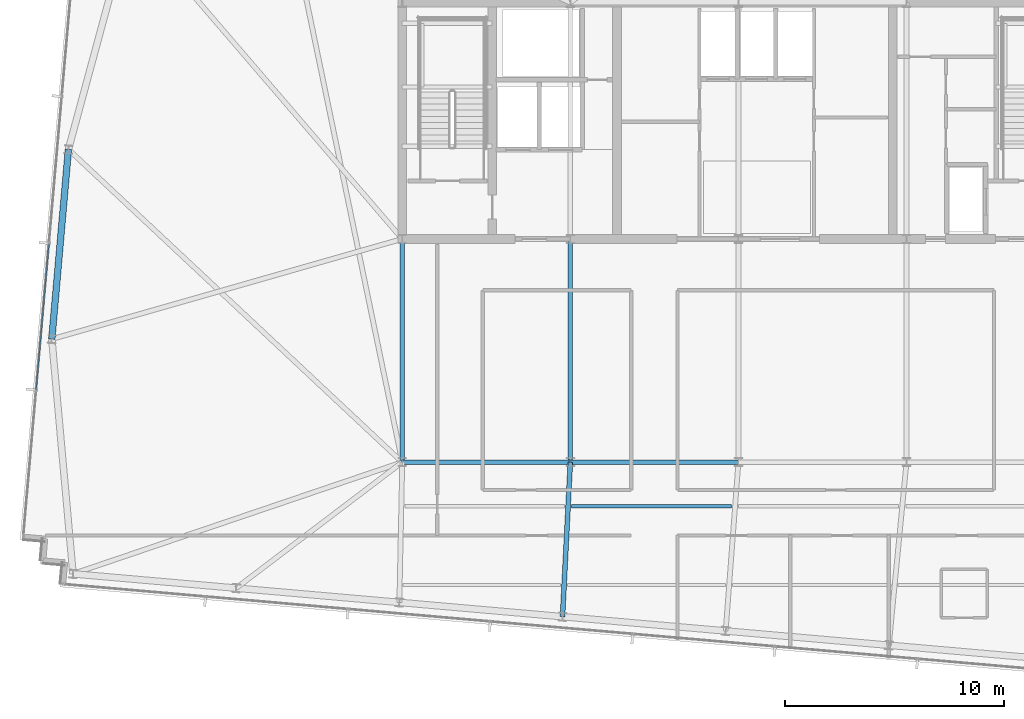
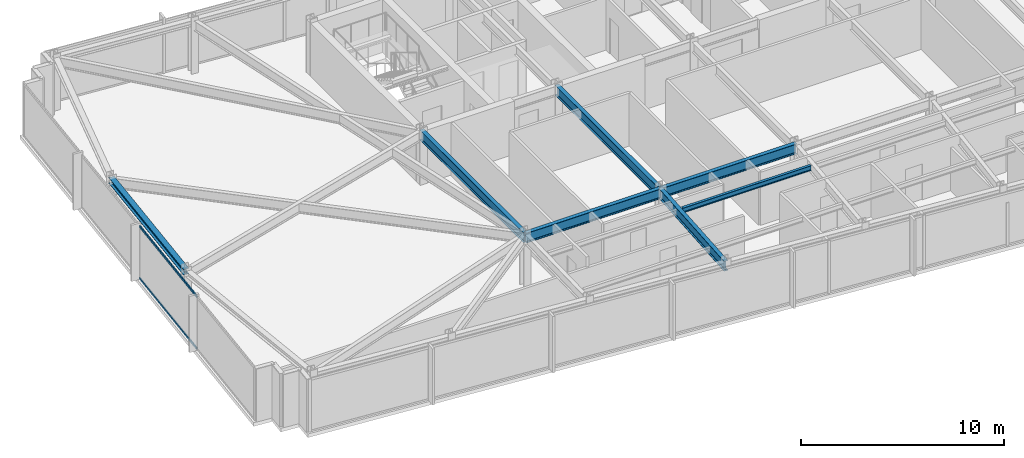
# One storey, part 8 of 32: 7 beams, 2 members, 1 element without a shape of its own.
"""IFC4 building model written with IfcOpenShell, lengths in metres."""

from ifc_helpers import new_model, si_unit, direction, frame, origin, origin_2d, place, context, subcontext, project, spatial, hollow_rectangle, i_section, extrude, material, material_profile, profile_set, type_object, element, aggregate, save


model = new_model("IFC4")

# Units and contexts
model_context = context("Model", 3, precision=1e-05, world=origin(), true_north=direction((0.0, 1.0)))
body_context = subcontext(model_context, "Body", "Model", "MODEL_VIEW")
ifc_project = project(units=[si_unit("LENGTHUNIT", "METRE"), si_unit("AREAUNIT", "SQUARE_METRE"), si_unit("VOLUMEUNIT", "CUBIC_METRE"), si_unit("PLANEANGLEUNIT", "RADIAN"), si_unit("MASSUNIT", "GRAM", prefix="KILO")], contexts=[model_context])

# Site, building, storey
site_placement = place(None, origin())
site = spatial("IfcSite", under=ifc_project, at=site_placement, CompositionType="ELEMENT")
building_placement = place(site_placement, origin())
building = spatial("IfcBuilding", under=site, at=building_placement, Name="Yelkora Congress Tower", CompositionType="ELEMENT")
storey_placement = place(building_placement, frame((0.0, 0.0, 276.10009765625)))
storey = spatial("IfcBuildingStorey", under=building, at=storey_placement, Name="L77", CompositionType="ELEMENT", Elevation=276.10009765625)

# Beams
ifc_material_1 = material(Name="Steel S355J2", Category="steel")
ifc_material_profile_1 = material_profile(ifc_material_1, i_section(OverallWidth=0.219970703125, OverallDepth=0.60009765625, WebThickness=0.011962890625, FlangeThickness=0.01904296875, FilletRadius=0.02392578125, at=origin_2d()), Name="IPE 600")
ifc_profile_set_1 = profile_set([ifc_material_profile_1], Name="Steel S355J2")
beam_type_1 = type_object("IfcBeamType", Name="BM-GIRD-IPE600", PredefinedType="BEAM", material=ifc_profile_set_1)
for number, where, z_axis, x_axis, name in (
    (1, (23.0400390625, 25.199951171875, 2.8798828125), (1.0, 0.0, 0.0), (0.0, 1.0, 0.0), "L77 Spine Grid D Girder 1"),
    (2, (30.719970703125, 25.199951171875, 2.8798828125), (1.0, 0.0, 0.0), (0.0, 1.0, 0.0), "L77 Spine Grid D Girder 2"),
):
    element("IfcBeam", number, at=place(storey_placement, frame(where, z_axis=z_axis, x_axis=x_axis)), inside=storey, type_object=beam_type_1, Name=name, PredefinedType="BEAM", context=body_context, shape_type="SweptSolid", body=[
        extrude(i_section(OverallWidth=0.219970703125, OverallDepth=0.60009765625, WebThickness=0.011962890625, FlangeThickness=0.01904296875, FilletRadius=0.02392578125, at=origin_2d()), origin(), (0.0, 0.0, 1.0), 7.679931640625),
    ])
for number, where, z_axis, x_axis, name in (
    (3, (23.0400390625, 25.199951171875, 2.8798828125), (0.0, 1.0, 0.0), (-1.0, 0.0, 0.0), "L77 Core Tie Girder MC-D1"),
    (4, (30.719970703125, 25.199951171875, 2.8798828125), (0.0, 1.0, 0.0), (-1.0, 0.0, 0.0), "L77 Core Tie Girder MC-D2"),
):
    element("IfcBeam", number, at=place(storey_placement, frame(where, z_axis=z_axis, x_axis=x_axis)), inside=storey, type_object=beam_type_1, Name=name, PredefinedType="BEAM", context=body_context, shape_type="SweptSolid", body=[
        extrude(i_section(OverallWidth=0.219970703125, OverallDepth=0.60009765625, WebThickness=0.011962890625, FlangeThickness=0.01904296875, FilletRadius=0.02392578125, at=origin_2d()), origin(), (0.0, 0.0, 1.0), 10.199951171875),
    ])
beam_1_placement = place(storey_placement, frame((30.362548828125, 18.14111328125, 2.8798828125), z_axis=(0.050569876836, 0.998720525251, 0.0), x_axis=(-0.998720525251, 0.050569876836, 0.0)))
element("IfcBeam", 5, at=beam_1_placement, inside=storey, type_object=beam_type_1, Name="L77 Primary Frame Girder S04", PredefinedType="BEAM", context=body_context, shape_type="SweptSolid", body=[
    extrude(i_section(OverallWidth=0.219970703125, OverallDepth=0.60009765625, WebThickness=0.011962890625, FlangeThickness=0.01904296875, FilletRadius=0.02392578125, at=origin_2d()), origin(), (0.0, 0.0, 1.0), 7.06787109375),
])
ifc_material_profile_2 = material_profile(ifc_material_1, i_section(OverallWidth=0.14990234375, OverallDepth=0.300048828125, WebThickness=0.007080078125, FlangeThickness=0.0107421875, FilletRadius=0.014892578125, at=origin_2d()), Name="IPE 300")
ifc_profile_set_2 = profile_set([ifc_material_profile_2], Name="Steel S355J2")
beam_type_2 = type_object("IfcBeamType", Name="BM-JOIST-IPE300", PredefinedType="JOIST", material=ifc_profile_set_2)
beam_2_placement = place(storey_placement, frame((30.778076171875, 23.1845703125, 3.02978515625), z_axis=(1.0, 0.0, 0.0), x_axis=(0.0, 1.0, 0.0)))
element("IfcBeam", 6, at=beam_2_placement, inside=storey, type_object=beam_type_2, Name="L77 Composite Floor Joist 6", PredefinedType="JOIST", context=body_context, shape_type="SweptSolid", body=[
    extrude(i_section(OverallWidth=0.14990234375, OverallDepth=0.300048828125, WebThickness=0.007080078125, FlangeThickness=0.0107421875, FilletRadius=0.014892578125, at=origin_2d()), origin(), (0.0, 0.0, 1.0), 7.3095703125),
])
ifc_material_profile_3 = material_profile(ifc_material_1, i_section(OverallWidth=0.300048828125, OverallDepth=0.340087890625, WebThickness=0.011962890625, FlangeThickness=0.021484375, FilletRadius=0.027099609375, at=origin_2d()), Name="HEB 340")
ifc_profile_set_3 = profile_set([ifc_material_profile_3], Name="Steel S355J2")
beam_type_3 = type_object("IfcBeamType", Name="BM-SPAN-HEB340", PredefinedType="SPANDREL", material=ifc_profile_set_3)
beam_3_placement = place(storey_placement, frame((7.787353515625, 39.489990234375, 3.010009765625), z_axis=(-0.08715998813, -0.99619432666, 0.0), x_axis=(0.99619432666, -0.08715998813, 0.0)))
element("IfcBeam", 7, at=beam_3_placement, inside=storey, type_object=beam_type_3, Name="L77 Perimeter Beam 14", PredefinedType="SPANDREL", context=body_context, shape_type="SweptSolid", body=[
    extrude(i_section(OverallWidth=0.300048828125, OverallDepth=0.340087890625, WebThickness=0.011962890625, FlangeThickness=0.021484375, FilletRadius=0.027099609375, at=origin_2d()), origin(), (0.0, 0.0, 1.0), 8.7001953125),
])

# Curtain wall, members
ifc_material_2 = material(Name="Anodised aluminium and insulated glass", Category="aluminium")
curtain_wall_type = type_object("IfcCurtainWallType", Name="CW-SYS-B5", PredefinedType="NOTDEFINED", material=ifc_material_2)
curtain_wall_placement = place(storey_placement, origin())
curtain_wall = element("IfcCurtainWall", 8, at=curtain_wall_placement, inside=storey, type_object=curtain_wall_type, Name="L77 Unitised Curtain Wall 5", PredefinedType="NOTDEFINED")
ifc_material_3 = material(Name="Anodised aluminium 6063-T6", Category="aluminium")
ifc_material_profile_4 = material_profile(ifc_material_3, hollow_rectangle(XDim=0.06005859375, YDim=0.1298828125, WallThickness=0.00390625, at=origin_2d()), Name="ALU 60x130x4")
ifc_profile_set_4 = profile_set([ifc_material_profile_4], Name="Anodised aluminium 6063-T6")
member_type = type_object("IfcMemberType", Name="MEM-TR-B5", PredefinedType="USERDEFINED", material=ifc_profile_set_4)
member_1_placement = place(storey_placement, frame((6.31640625, 28.529052734375, 0.02978515625), z_axis=(0.087182854761, 0.996192325726, 0.0), x_axis=(-0.996192325726, 0.087182854761, 0.0)))
member_1 = element("IfcMember", 9, at=member_1_placement, type_object=member_type, Name="CW-B5 transom 2.1", ObjectType="TRANSOM", PredefinedType="USERDEFINED", context=body_context, shape_type="SweptSolid", body=[
    extrude(hollow_rectangle(XDim=0.06005859375, YDim=0.1298828125, WallThickness=0.00390625, at=origin_2d()), origin(), (0.0, 0.0, 1.0), 6.664794921875),
])
member_2_placement = place(storey_placement, frame((6.31640625, 28.529052734375, 3.14990234375), z_axis=(0.087182854761, 0.996192325726, 0.0), x_axis=(-0.996192325726, 0.087182854761, 0.0)))
member_2 = element("IfcMember", 10, at=member_2_placement, type_object=member_type, Name="CW-B5 transom 2.2", ObjectType="TRANSOM", PredefinedType="USERDEFINED", context=body_context, shape_type="SweptSolid", body=[
    extrude(hollow_rectangle(XDim=0.06005859375, YDim=0.1298828125, WallThickness=0.00390625, at=origin_2d()), origin(), (0.0, 0.0, 1.0), 6.664794921875),
])
aggregate(curtain_wall, [member_1, member_2])

save(model, "model.ifc")
